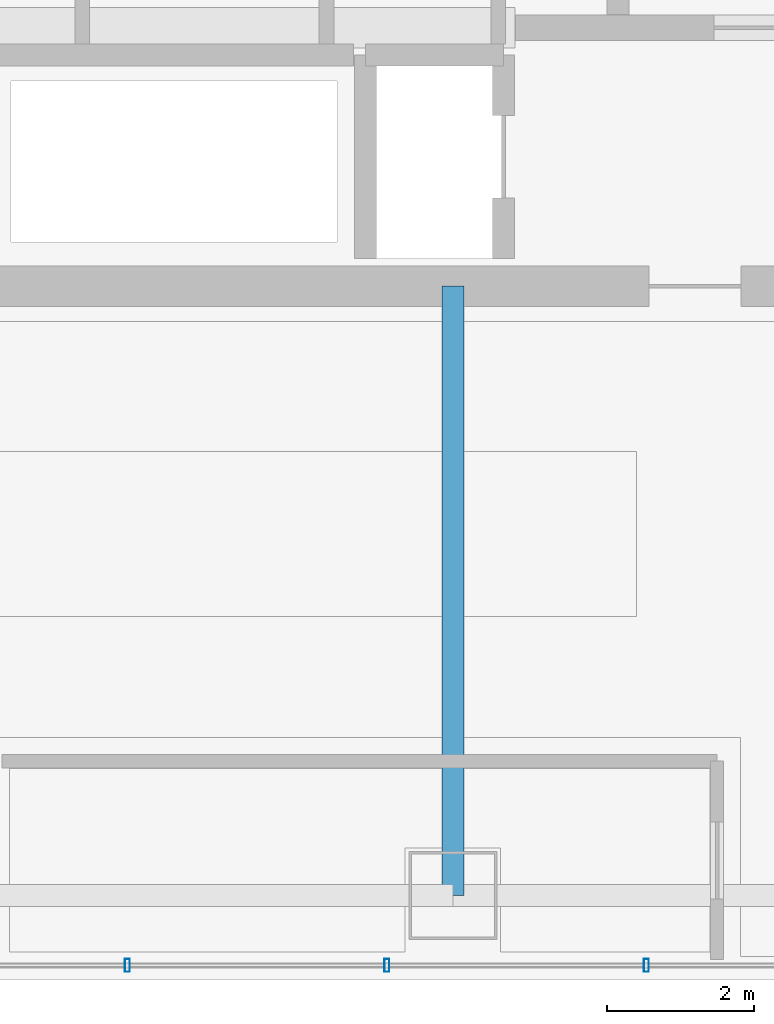
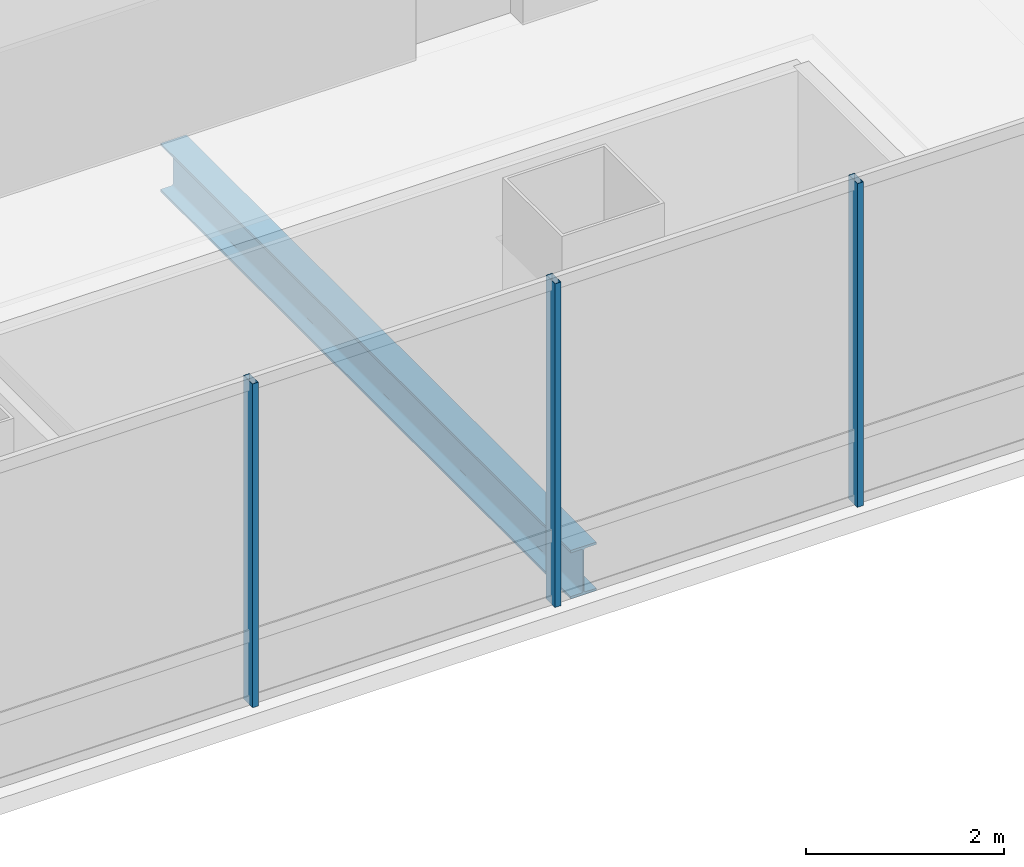
# One storey, part 9 of 41: 3 members, 1 beam, 1 element without a shape of its own.
"""IFC4 building model written with IfcOpenShell, lengths in metres."""

from ifc_helpers import new_model, si_unit, direction, frame, origin, origin_2d, place, context, subcontext, project, spatial, hollow_rectangle, i_section, extrude, material, material_profile, profile_set, type_object, element, aggregate, save


model = new_model("IFC4")

# Units and contexts
model_context = context("Model", 3, precision=1e-05, world=origin(), true_north=direction((0.0, 1.0)))
body_context = subcontext(model_context, "Body", "Model", "MODEL_VIEW")
ifc_project = project(units=[si_unit("LENGTHUNIT", "METRE"), si_unit("AREAUNIT", "SQUARE_METRE"), si_unit("VOLUMEUNIT", "CUBIC_METRE"), si_unit("PLANEANGLEUNIT", "RADIAN"), si_unit("MASSUNIT", "GRAM", prefix="KILO")], contexts=[model_context])

# Site, building, storey
site_placement = place(None, origin())
site = spatial("IfcSite", under=ifc_project, at=site_placement, CompositionType="ELEMENT")
building_placement = place(site_placement, origin())
building = spatial("IfcBuilding", under=site, at=building_placement, Name="Punatoya Terracotta Tower", CompositionType="ELEMENT")
storey_placement = place(building_placement, frame((0.0, 0.0, 309.0)))
storey = spatial("IfcBuildingStorey", under=building, at=storey_placement, Name="L73", CompositionType="ELEMENT", Elevation=309.0)

# Beam
ifc_material_1 = material(Name="Steel S355", Category="steel")
ifc_material_profile_1 = material_profile(ifc_material_1, i_section(OverallWidth=0.300048828125, OverallDepth=0.60009765625, WebThickness=0.015380859375, FlangeThickness=0.030029296875, FilletRadius=0.01806640625, at=origin_2d()))
ifc_profile_set_1 = profile_set([ifc_material_profile_1], Name="Steel S355")
beam_type = type_object("IfcBeamType", Name="BM-PRI-600", PredefinedType="BEAM", material=ifc_profile_set_1)
beam_placement = place(storey_placement, frame((3.800048828125, -17.5, -0.5), z_axis=(0.0, 1.0, 0.0), x_axis=(-1.0, 0.0, 0.0)))
element("IfcBeam", 1, at=beam_placement, inside=storey, type_object=beam_type, Name="BM-L73-PR-S3", PredefinedType="BEAM", context=body_context, shape_type="SweptSolid", body=[
    extrude(i_section(OverallWidth=0.300048828125, OverallDepth=0.60009765625, WebThickness=0.015380859375, FlangeThickness=0.030029296875, FilletRadius=0.01806640625, at=origin_2d()), origin(), (0.0, 0.0, 1.0), 8.300048828125),
])

# Curtain wall, members
ifc_material_2 = material(Name="Aluminium 6063-T6 + Double Low-E Glass", Category="aluminium")
curtain_wall_type = type_object("IfcCurtainWallType", Name="CW-M3", PredefinedType="NOTDEFINED", material=ifc_material_2)
curtain_wall_placement = place(storey_placement, origin())
curtain_wall = element("IfcCurtainWall", 2, at=curtain_wall_placement, inside=storey, type_object=curtain_wall_type, Name="L73 Curtain Wall CW-L73-S01-1", PredefinedType="NOTDEFINED")
ifc_material_3 = material(Name="Aluminium 6063-T6", Category="aluminium")
ifc_material_profile_2 = material_profile(ifc_material_3, hollow_rectangle(XDim=0.070068359375, YDim=0.179931640625, WallThickness=0.00390625, at=origin_2d()))
ifc_profile_set_2 = profile_set([ifc_material_profile_2], Name="Aluminium 6063-T6")
member_type = type_object("IfcMemberType", Name="CW-MUL-M3", PredefinedType="MULLION", material=ifc_profile_set_2)
member_1_placement = place(storey_placement, frame((-0.633056640625, -18.449951171875, 0.0), z_axis=(0.0, 0.0, 1.0), x_axis=(1.0, 0.0, 0.0)))
member_1 = element("IfcMember", 3, at=member_1_placement, type_object=member_type, Name="CW-L73-S01-1 Mullion 06", PredefinedType="MULLION", context=body_context, shape_type="SweptSolid", body=[
    extrude(hollow_rectangle(XDim=0.070068359375, YDim=0.179931640625, WallThickness=0.00390625, at=origin_2d()), origin(), (0.0, 0.0, 1.0), 4.0),
])
member_2_placement = place(storey_placement, frame((2.90087890625, -18.449951171875, 0.0), z_axis=(0.0, 0.0, 1.0), x_axis=(1.0, 0.0, 0.0)))
member_2 = element("IfcMember", 4, at=member_2_placement, type_object=member_type, Name="CW-L73-S01-1 Mullion 07", PredefinedType="MULLION", context=body_context, shape_type="SweptSolid", body=[
    extrude(hollow_rectangle(XDim=0.070068359375, YDim=0.179931640625, WallThickness=0.00390625, at=origin_2d()), origin(), (0.0, 0.0, 1.0), 4.0),
])
member_3_placement = place(storey_placement, frame((6.43505859375, -18.449951171875, 0.0), z_axis=(0.0, 0.0, 1.0), x_axis=(1.0, 0.0, 0.0)))
member_3 = element("IfcMember", 5, at=member_3_placement, type_object=member_type, Name="CW-L73-S01-1 Mullion 08", PredefinedType="MULLION", context=body_context, shape_type="SweptSolid", body=[
    extrude(hollow_rectangle(XDim=0.070068359375, YDim=0.179931640625, WallThickness=0.00390625, at=origin_2d()), origin(), (0.0, 0.0, 1.0), 4.0),
])
aggregate(curtain_wall, [member_1, member_2, member_3])

save(model, "model.ifc")
